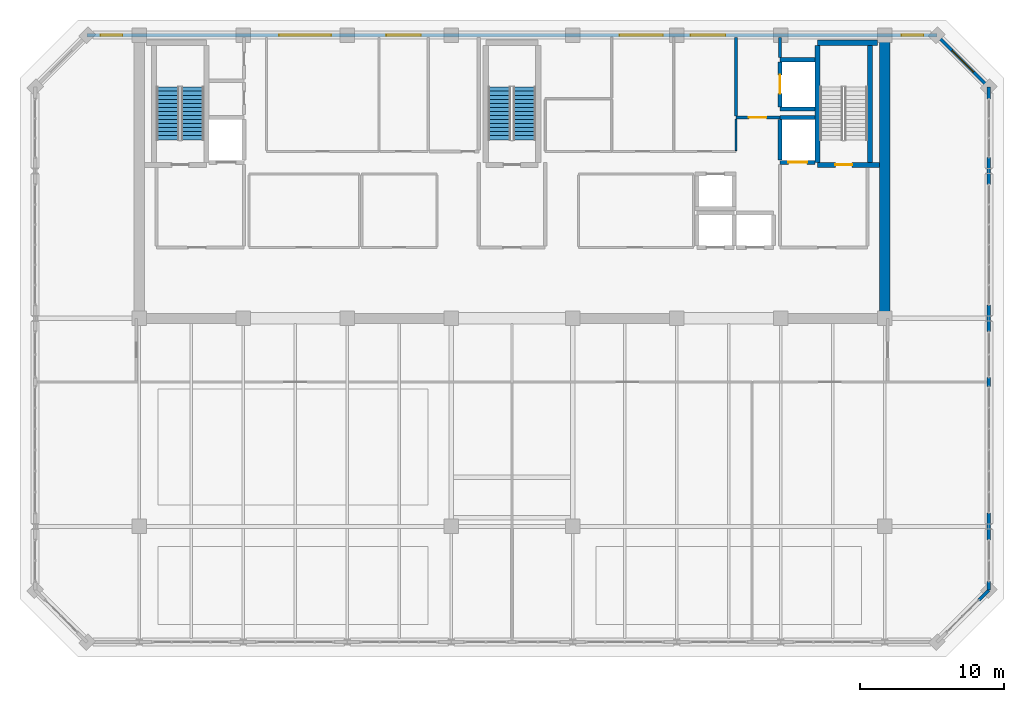
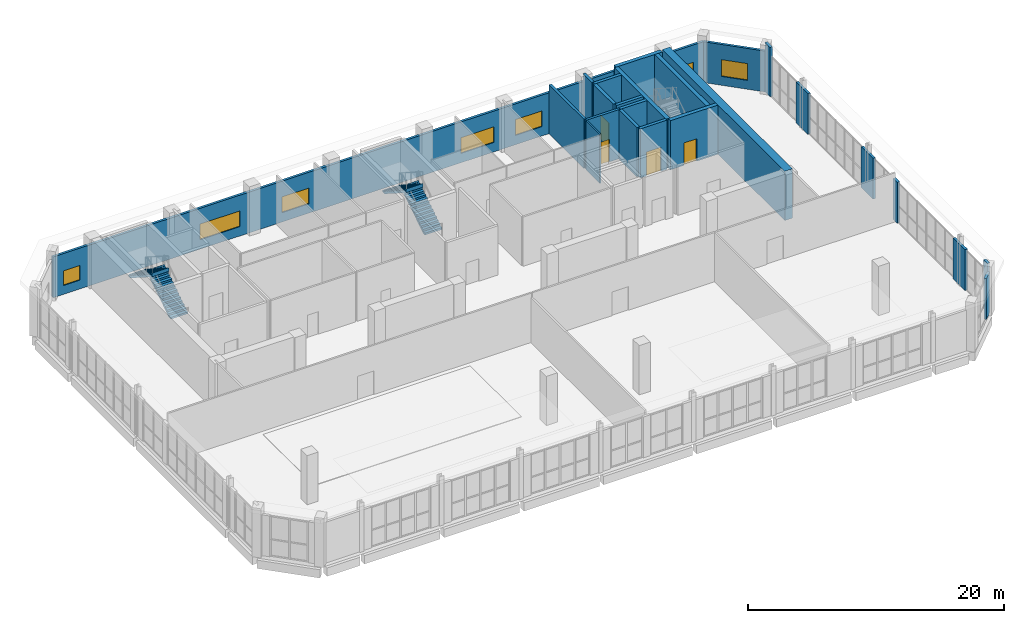
# One storey, part 32 of 36: 24 walls, 7 windows, 4 doors, 4 stair flights, 11 openings, 2 elements without a shape of their own.
"""IFC4 building model written with IfcOpenShell, lengths in metres."""

from ifc_helpers import new_model, si_unit, direction, frame, frame_2d, origin, place, context, subcontext, project, spatial, polyline, rectangle, outline, extrude, material, layer, layer_set, type_object, element, fill, aggregate, save


model = new_model("IFC4")

# Units and contexts
model_context = context("Model", 3, precision=1e-05, world=origin(), true_north=direction((0.0, 1.0)))
body_context = subcontext(model_context, "Body", "Model", "MODEL_VIEW")
ifc_project = project(units=[si_unit("LENGTHUNIT", "METRE"), si_unit("AREAUNIT", "SQUARE_METRE"), si_unit("VOLUMEUNIT", "CUBIC_METRE"), si_unit("PLANEANGLEUNIT", "RADIAN"), si_unit("MASSUNIT", "GRAM", prefix="KILO")], contexts=[model_context])

# Site, building, storey
site_placement = place(None, origin())
site = spatial("IfcSite", under=ifc_project, at=site_placement, CompositionType="ELEMENT")
building_placement = place(site_placement, origin())
building = spatial("IfcBuilding", under=site, at=building_placement, Name="Kaelvorn Grand Hotel", CompositionType="ELEMENT")
storey_placement = place(building_placement, frame((0.0, 0.0, 305.699951171875)))
storey = spatial("IfcBuildingStorey", under=building, at=storey_placement, Name="L74", CompositionType="ELEMENT", Elevation=305.699951171875)

# Walls
ifc_material_1 = material(Name="Concrete C50/60", Category="concrete")
ifc_layer_1 = layer(ifc_material_1, 0.699951171875)
ifc_layer_set_1 = layer_set([ifc_layer_1], Name="Concrete C50/60")
wall_type_1 = type_object("IfcWallType", Name="WL-CORE-700-C50", PredefinedType="SHEAR", material=ifc_layer_set_1)
wall_1_placement = place(storey_placement, frame((67.800048828125, 29.39990234375, 0.0), z_axis=(0.0, 0.0, 1.0), x_axis=(0.0, 1.0, 0.0)))
element("IfcWall", 1, at=wall_1_placement, inside=storey, type_object=wall_type_1, Name="L74 Rear-Core East Shear Wall", PredefinedType="SHEAR", context=body_context, shape_type="SweptSolid", body=[
    extrude(rectangle(XDim=19.2001953125, YDim=0.699951171875, at=frame_2d((9.60009765625, 0.0))), origin(), (0.0, 0.0, 1.0), 4.699951171875),
])
ifc_material_2 = material(Name="Concrete C40/50", Category="concrete")
ifc_layer_2 = layer(ifc_material_2, 0.219970703125)
ifc_layer_set_2 = layer_set([ifc_layer_2], Name="Concrete C40/50")
wall_type_2 = type_object("IfcWallType", Name="WL-EXT-220-C40", PredefinedType="SOLIDWALL", material=ifc_layer_set_2)
wall_2_placement = place(storey_placement, frame((74.303466796875, 9.903564453125, 0.0), z_axis=(0.0, 0.0, 1.0), x_axis=(0.707106781187, 0.707106781187, 0.0)))
element("IfcWall", 2, at=wall_2_placement, inside=storey, type_object=wall_type_2, Name="L74 Exterior Architectural Concrete Wall 02 Pier 2", PredefinedType="SOLIDWALL", context=body_context, shape_type="SweptSolid", body=[
    extrude(rectangle(XDim=0.985107421875, YDim=0.219970703125, at=frame_2d((0.49267578125, 0.0))), origin(), (0.0, 0.0, 1.0), 3.900146484375),
])
wall_3_placement = place(storey_placement, frame((75.0, 10.60009765625, 0.0), z_axis=(0.0, 0.0, 1.0), x_axis=(0.0, 1.0, 0.0)))
element("IfcWall", 3, at=wall_3_placement, inside=storey, type_object=wall_type_2, Name="L74 Exterior Architectural Concrete Wall 03 Pier 1", PredefinedType="SOLIDWALL", context=body_context, shape_type="SweptSolid", body=[
    extrude(rectangle(XDim=0.60498046875, YDim=0.219970703125, at=frame_2d((0.302490234375, 0.0))), origin(), (0.0, 0.0, 1.0), 4.699951171875),
])
wall_4_placement = place(storey_placement, frame((75.0, 14.074951171875, 0.0), z_axis=(0.0, 0.0, 1.0), x_axis=(0.0, 1.0, 0.0)))
element("IfcWall", 4, at=wall_4_placement, inside=storey, type_object=wall_type_2, Name="L74 Exterior Architectural Concrete Wall 03 Pier 2", PredefinedType="SOLIDWALL", context=body_context, shape_type="SweptSolid", body=[
    extrude(rectangle(XDim=1.85009765625, YDim=0.219970703125, at=frame_2d((0.925048828125, 0.0))), origin(), (0.0, 0.0, 1.0), 3.900146484375),
])
wall_5_placement = place(storey_placement, frame((75.0, 24.675048828125, 0.0), z_axis=(0.0, 0.0, 1.0), x_axis=(0.0, 1.0, 0.0)))
element("IfcWall", 5, at=wall_5_placement, inside=storey, type_object=wall_type_2, Name="L74 Exterior Architectural Concrete Wall 03 Pier 3", PredefinedType="SOLIDWALL", context=body_context, shape_type="SweptSolid", body=[
    extrude(rectangle(XDim=0.64990234375, YDim=0.219970703125, at=frame_2d((0.324951171875, 0.0))), origin(), (0.0, 0.0, 1.0), 3.900146484375),
])
for number, where, z_axis, x_axis, name in (
    (6, (75.0, 28.47509765625, 0.0), (0.0, 0.0, 1.0), (0.0, 1.0, 0.0), "L74 Exterior Architectural Concrete Wall 03 Pier 4"),
    (7, (75.0, 38.675048828125, 0.0), (0.0, 0.0, 1.0), (0.0, 1.0, 0.0), "L74 Exterior Architectural Concrete Wall 03 Pier 5"),
):
    element("IfcWall", number, at=place(storey_placement, frame(where, z_axis=z_axis, x_axis=x_axis)), inside=storey, type_object=wall_type_2, Name=name, PredefinedType="SOLIDWALL", context=body_context, shape_type="SweptSolid", body=[
        extrude(rectangle(XDim=1.849853515625, YDim=0.219970703125, at=frame_2d((0.9248046875, 0.0))), origin(), (0.0, 0.0, 1.0), 3.900146484375),
    ])
wall_6_placement = place(storey_placement, frame((75.0, 44.594970703125, 0.0), z_axis=(0.0, 0.0, 1.0), x_axis=(0.0, 1.0, 0.0)))
element("IfcWall", 8, at=wall_6_placement, inside=storey, type_object=wall_type_2, Name="L74 Exterior Architectural Concrete Wall 03 Pier 6", PredefinedType="SOLIDWALL", context=body_context, shape_type="SweptSolid", body=[
    extrude(rectangle(XDim=0.804931640625, YDim=0.219970703125, at=frame_2d((0.40234375, 0.0))), origin(), (0.0, 0.0, 1.0), 4.699951171875),
])

# Wall, opening, window
wall_7_placement = place(storey_placement, frame((75.0, 45.39990234375, 0.0), z_axis=(0.0, 0.0, 1.0), x_axis=(-0.707106781187, 0.707106781187, 0.0)))
wall_7 = element("IfcWall", 9, at=wall_7_placement, inside=storey, type_object=wall_type_2, Name="L74 Exterior Architectural Concrete Wall 04", PredefinedType="SOLIDWALL", context=body_context, shape_type="SweptSolid", body=[
    extrude(rectangle(XDim=5.09130859375, YDim=0.219970703125, at=frame_2d((2.545654296875, 0.0))), origin(), (0.0, 0.0, 1.0), 3.900146484375),
])
opening_1_placement = place(wall_7_placement, frame((1.49560546875, 0.0, 0.85009765625)))
opening_1 = element("IfcOpeningElement", 10, at=opening_1_placement, cuts=wall_7, Name="Opening W7", PredefinedType="OPENING", context=body_context, shape_type="SweptSolid", body=[
    extrude(rectangle(XDim=2.10009765625, YDim=1.60009765625, at=frame_2d((1.050048828125, 0.800048828125))), frame((0.0, 0.1201171875, 0.0), z_axis=(0.0, -1.0, 0.0), x_axis=(1.0, 0.0, 0.0)), (0.0, 0.0, 1.0), 0.239990234375),
])
ifc_material_3 = material(Name="Laminated Low-E Glass", Category="glass")
window_type_1 = type_object("IfcWindowType", Name="WIN-CHM-2100x1600", PartitioningType="SINGLE_PANEL", PredefinedType="WINDOW", material=ifc_material_3)
window_1_placement = place(opening_1_placement, origin())
window_1 = element("IfcWindow", 11, at=window_1_placement, inside=storey, type_object=window_type_1, Name="L74 Chamfered 45-Degree Corner Window NE", OverallHeight=1.60009765625, OverallWidth=2.10009765625, PartitioningType="SINGLE_PANEL", PredefinedType="WINDOW", context=body_context, shape_type="SweptSolid", body=[
    extrude(rectangle(XDim=2.10009765625, YDim=1.60009765625, at=frame_2d((1.050048828125, 0.800048828125))), frame((0.0, 0.030029296875, 0.0), z_axis=(0.0, -1.0, 0.0), x_axis=(1.0, 0.0, 0.0)), (0.0, 0.0, 1.0), 0.06005859375),
])
fill(opening_1, window_1)

# Wall, openings, windows
wall_8_placement = place(storey_placement, frame((71.39990234375, 49.0, 0.0), z_axis=(0.0, 0.0, 1.0), x_axis=(-1.0, 0.0, 0.0)))
wall_8 = element("IfcWall", 12, at=wall_8_placement, inside=storey, type_object=wall_type_2, Name="L74 Exterior Architectural Concrete Wall 05", PredefinedType="SOLIDWALL", context=body_context, shape_type="SweptSolid", body=[
    extrude(rectangle(XDim=58.7998046875, YDim=0.219970703125, at=frame_2d((29.39990234375, 0.0))), origin(), (0.0, 0.0, 1.0), 3.900146484375),
])
opening_2_placement = place(wall_8_placement, frame((56.364990234375, 0.0, 0.85009765625)))
opening_2 = element("IfcOpeningElement", 13, at=opening_2_placement, cuts=wall_8, Name="Opening W10", PredefinedType="OPENING", context=body_context, shape_type="SweptSolid", body=[
    extrude(rectangle(XDim=1.5, YDim=1.39990234375, at=frame_2d((0.75, 0.699951171875))), frame((0.0, 0.1201171875, 0.0), z_axis=(0.0, -1.0, 0.0), x_axis=(1.0, 0.0, 0.0)), (0.0, 0.0, 1.0), 0.239990234375),
])
opening_3_placement = place(wall_8_placement, frame((0.93505859375, 0.0, 0.85009765625)))
opening_3 = element("IfcOpeningElement", 14, at=opening_3_placement, cuts=wall_8, Name="Opening W10", PredefinedType="OPENING", context=body_context, shape_type="SweptSolid", body=[
    extrude(rectangle(XDim=1.5, YDim=1.39990234375, at=frame_2d((0.75, 0.699951171875))), frame((0.0, 0.1201171875, 0.0), z_axis=(0.0, -1.0, 0.0), x_axis=(1.0, 0.0, 0.0)), (0.0, 0.0, 1.0), 0.239990234375),
])
opening_4_placement = place(wall_8_placement, frame((41.9150390625, 0.0, 0.89990234375)))
opening_4 = element("IfcOpeningElement", 15, at=opening_4_placement, cuts=wall_8, Name="Opening W3", PredefinedType="OPENING", context=body_context, shape_type="SweptSolid", body=[
    extrude(rectangle(XDim=3.60009765625, YDim=1.5, at=frame_2d((1.800048828125, 0.75))), frame((0.0, 0.1201171875, 0.0), z_axis=(0.0, -1.0, 0.0), x_axis=(1.0, 0.0, 0.0)), (0.0, 0.0, 1.0), 0.239990234375),
])
opening_5_placement = place(wall_8_placement, frame((35.699951171875, 0.0, 0.89990234375)))
opening_5 = element("IfcOpeningElement", 16, at=opening_5_placement, cuts=wall_8, Name="Opening W6", PredefinedType="OPENING", context=body_context, shape_type="SweptSolid", body=[
    extrude(rectangle(XDim=2.39990234375, YDim=1.5, at=frame_2d((1.199951171875, 0.75))), frame((0.0, 0.1201171875, 0.0), z_axis=(0.0, -1.0, 0.0), x_axis=(1.0, 0.0, 0.0)), (0.0, 0.0, 1.0), 0.239990234375),
])
opening_6_placement = place(wall_8_placement, frame((18.949951171875, 0.0, 0.89990234375)))
opening_6 = element("IfcOpeningElement", 17, at=opening_6_placement, cuts=wall_8, Name="Opening W5", PredefinedType="OPENING", context=body_context, shape_type="SweptSolid", body=[
    extrude(rectangle(XDim=3.0, YDim=1.5, at=frame_2d((1.5, 0.75))), frame((0.0, 0.1201171875, 0.0), z_axis=(0.0, -1.0, 0.0), x_axis=(1.0, 0.0, 0.0)), (0.0, 0.0, 1.0), 0.239990234375),
])
opening_7_placement = place(wall_8_placement, frame((14.635009765625, 0.0, 0.89990234375)))
opening_7 = element("IfcOpeningElement", 18, at=opening_7_placement, cuts=wall_8, Name="Opening W6", PredefinedType="OPENING", context=body_context, shape_type="SweptSolid", body=[
    extrude(rectangle(XDim=2.39990234375, YDim=1.5, at=frame_2d((1.199951171875, 0.75))), frame((0.0, 0.1201171875, 0.0), z_axis=(0.0, -1.0, 0.0), x_axis=(1.0, 0.0, 0.0)), (0.0, 0.0, 1.0), 0.239990234375),
])
window_type_2 = type_object("IfcWindowType", Name="WIN-COR-1500x1400", PartitioningType="SINGLE_PANEL", PredefinedType="WINDOW", material=ifc_material_3)
window_2_placement = place(opening_2_placement, origin())
window_2 = element("IfcWindow", 19, at=window_2_placement, inside=storey, type_object=window_type_2, Name="L74 North Wing Ribbon Window NW01", OverallHeight=1.39990234375, OverallWidth=1.5, PartitioningType="SINGLE_PANEL", PredefinedType="WINDOW", context=body_context, shape_type="SweptSolid", body=[
    extrude(rectangle(XDim=1.5, YDim=1.39990234375, at=frame_2d((0.75, 0.699951171875))), frame((0.0, 0.030029296875, 0.0), z_axis=(0.0, -1.0, 0.0), x_axis=(1.0, 0.0, 0.0)), (0.0, 0.0, 1.0), 0.06005859375),
])
fill(opening_2, window_2)
window_3_placement = place(opening_3_placement, origin())
window_3 = element("IfcWindow", 20, at=window_3_placement, inside=storey, type_object=window_type_2, Name="L74 North Wing Ribbon Window NW02", OverallHeight=1.39990234375, OverallWidth=1.5, PartitioningType="SINGLE_PANEL", PredefinedType="WINDOW", context=body_context, shape_type="SweptSolid", body=[
    extrude(rectangle(XDim=1.5, YDim=1.39990234375, at=frame_2d((0.75, 0.699951171875))), frame((0.0, 0.030029296875, 0.0), z_axis=(0.0, -1.0, 0.0), x_axis=(1.0, 0.0, 0.0)), (0.0, 0.0, 1.0), 0.06005859375),
])
fill(opening_3, window_3)
window_type_3 = type_object("IfcWindowType", Name="WIN-NTH-2400x1500", PartitioningType="SINGLE_PANEL", PredefinedType="WINDOW", material=ifc_material_3)
window_4_placement = place(opening_5_placement, origin())
window_4 = element("IfcWindow", 21, at=window_4_placement, inside=storey, type_object=window_type_3, Name="L74 North Core Clerestory Ribbon Window NC04", OverallHeight=1.5, OverallWidth=2.39990234375, PartitioningType="SINGLE_PANEL", PredefinedType="WINDOW", context=body_context, shape_type="SweptSolid", body=[
    extrude(rectangle(XDim=2.39990234375, YDim=1.5, at=frame_2d((1.199951171875, 0.75))), frame((0.0, 0.030029296875, 0.0), z_axis=(0.0, -1.0, 0.0), x_axis=(1.0, 0.0, 0.0)), (0.0, 0.0, 1.0), 0.06005859375),
])
fill(opening_5, window_4)
window_5_placement = place(opening_7_placement, origin())
window_5 = element("IfcWindow", 22, at=window_5_placement, inside=storey, type_object=window_type_3, Name="L74 North Core Clerestory Ribbon Window NC06", OverallHeight=1.5, OverallWidth=2.39990234375, PartitioningType="SINGLE_PANEL", PredefinedType="WINDOW", context=body_context, shape_type="SweptSolid", body=[
    extrude(rectangle(XDim=2.39990234375, YDim=1.5, at=frame_2d((1.199951171875, 0.75))), frame((0.0, 0.030029296875, 0.0), z_axis=(0.0, -1.0, 0.0), x_axis=(1.0, 0.0, 0.0)), (0.0, 0.0, 1.0), 0.06005859375),
])
fill(opening_7, window_5)
window_type_4 = type_object("IfcWindowType", Name="WIN-NTH-3000x1500", PartitioningType="SINGLE_PANEL", PredefinedType="WINDOW", material=ifc_material_3)
window_6_placement = place(opening_6_placement, origin())
window_6 = element("IfcWindow", 23, at=window_6_placement, inside=storey, type_object=window_type_4, Name="L74 North Core Clerestory Ribbon Window NC05", OverallHeight=1.5, OverallWidth=3.0, PartitioningType="SINGLE_PANEL", PredefinedType="WINDOW", context=body_context, shape_type="SweptSolid", body=[
    extrude(rectangle(XDim=3.0, YDim=1.5, at=frame_2d((1.5, 0.75))), frame((0.0, 0.030029296875, 0.0), z_axis=(0.0, -1.0, 0.0), x_axis=(1.0, 0.0, 0.0)), (0.0, 0.0, 1.0), 0.06005859375),
])
fill(opening_6, window_6)
window_type_5 = type_object("IfcWindowType", Name="WIN-RIB-3600x1750", PartitioningType="SINGLE_PANEL", PredefinedType="WINDOW", material=ifc_material_3)
window_7_placement = place(opening_4_placement, origin())
window_7 = element("IfcWindow", 24, at=window_7_placement, inside=storey, type_object=window_type_5, Name="L74 North Core Clerestory Ribbon Window NC03", OverallHeight=1.5, OverallWidth=3.60009765625, PartitioningType="SINGLE_PANEL", PredefinedType="WINDOW", context=body_context, shape_type="SweptSolid", body=[
    extrude(rectangle(XDim=3.60009765625, YDim=1.5, at=frame_2d((1.800048828125, 0.75))), frame((0.0, 0.030029296875, 0.0), z_axis=(0.0, -1.0, 0.0), x_axis=(1.0, 0.0, 0.0)), (0.0, 0.0, 1.0), 0.06005859375),
])
fill(opening_4, window_7)

# Wall
ifc_material_4 = material(Name="Moisture-Resistant Tile & Stud Board")
ifc_layer_3 = layer(ifc_material_4, 0.125)
ifc_layer_set_3 = layer_set([ifc_layer_3], Name="Moisture-Resistant Tile & Stud Board")
wall_type_3 = type_object("IfcWallType", Name="WL-PART-125-WET", PredefinedType="PARTITIONING", material=ifc_layer_set_3)
wall_9_placement = place(storey_placement, frame((57.5, 41.017578125, 0.0), z_axis=(0.0, 0.0, 1.0), x_axis=(0.0, 1.0, 0.0)))
element("IfcWall", 25, at=wall_9_placement, inside=storey, type_object=wall_type_3, Name="L74 Female Public Toilets E Partition", PredefinedType="PARTITIONING", context=body_context, shape_type="SweptSolid", body=[
    extrude(rectangle(XDim=2.16748046875, YDim=0.125, at=frame_2d((1.083740234375, 0.0))), origin(), (0.0, 0.0, 1.0), 4.699951171875),
])

# Wall, opening, door
ifc_layer_4 = layer(ifc_material_2, 0.219970703125)
ifc_layer_set_4 = layer_set([ifc_layer_4], Name="Concrete C40/50")
wall_type_4 = type_object("IfcWallType", Name="WL-PART-220-EI120", PredefinedType="PARTITIONING", material=ifc_layer_set_4)
wall_10_placement = place(storey_placement, frame((57.5, 43.300048828125, 0.0), z_axis=(0.0, 0.0, 1.0), x_axis=(1.0, 0.0, 0.0)))
wall_10 = element("IfcWall", 26, at=wall_10_placement, inside=storey, type_object=wall_type_4, Name="L74 Service Lift Lobby S Partition", PredefinedType="PARTITIONING", context=body_context, shape_type="SweptSolid", body=[
    extrude(rectangle(XDim=3.0400390625, YDim=0.219970703125, at=frame_2d((1.52001953125, 0.0))), origin(), (0.0, 0.0, 1.0), 4.699951171875),
])
opening_8_placement = place(wall_10_placement, frame((0.89990234375, 0.0, 0.0)))
opening_8 = element("IfcOpeningElement", 27, at=opening_8_placement, cuts=wall_10, Name="Opening DI2", PredefinedType="OPENING", context=body_context, shape_type="SweptSolid", body=[
    extrude(rectangle(XDim=1.199951171875, YDim=2.14990234375, at=frame_2d((0.60009765625, 1.074951171875))), frame((0.0, 0.1201171875, 0.0), z_axis=(0.0, -1.0, 0.0), x_axis=(1.0, 0.0, 0.0)), (0.0, 0.0, 1.0), 0.239990234375),
])
ifc_material_5 = material(Name="Timber Veneer Fire Leaf", Category="wood")
door_type_1 = type_object("IfcDoorType", Name="DR-INT-FFLOB-1200x2150", OperationType="NOTDEFINED", PredefinedType="DOOR", material=ifc_material_5)
door_1_placement = place(opening_8_placement, origin())
door_1 = element("IfcDoor", 28, at=door_1_placement, inside=storey, type_object=door_type_1, Name="L74 Service Lift Lobby Door", OperationType="SINGLE_SWING_RIGHT", OverallHeight=2.14990234375, OverallWidth=1.199951171875, PredefinedType="DOOR", context=body_context, shape_type="SweptSolid", body=[
    extrude(rectangle(XDim=1.199951171875, YDim=2.14990234375, at=frame_2d((0.60009765625, 1.074951171875))), frame((0.0, 0.02490234375, 0.0), z_axis=(0.0, -1.0, 0.0), x_axis=(1.0, 0.0, 0.0)), (0.0, 0.0, 1.0), 0.050048828125),
])
fill(opening_8, door_1)

# Walls
wall_11_placement = place(storey_placement, frame((57.5, 43.4150390625, 0.0), z_axis=(0.0, 0.0, 1.0), x_axis=(0.0, 1.0, 0.0)))
element("IfcWall", 29, at=wall_11_placement, inside=storey, type_object=wall_type_4, Name="L74 Service Lift Lobby W Partition", PredefinedType="PARTITIONING", context=body_context, shape_type="SweptSolid", body=[
    extrude(rectangle(XDim=5.43505859375, YDim=0.219970703125, at=frame_2d((2.717529296875, 0.0))), origin(), (0.0, 0.0, 1.0), 4.699951171875),
])
wall_12_placement = place(storey_placement, frame((60.550048828125, 47.445068359375, 0.0), z_axis=(0.0, 0.0, 1.0), x_axis=(0.0, 1.0, 0.0)))
element("IfcWall", 30, at=wall_12_placement, inside=storey, type_object=wall_type_4, Name="L74 Service Lift Lobby E Partition", PredefinedType="PARTITIONING", context=body_context, shape_type="SweptSolid", body=[
    extrude(rectangle(XDim=1.405029296875, YDim=0.219970703125, at=frame_2d((0.70263671875, 0.0))), origin(), (0.0, 0.0, 1.0), 4.699951171875),
])

# Wall, opening, door
ifc_layer_5 = layer(ifc_material_1, 0.280029296875)
ifc_layer_set_5 = layer_set([ifc_layer_5], Name="Concrete C50/60")
wall_type_5 = type_object("IfcWallType", Name="WL-SHAFT-280-C50", PredefinedType="SHEAR", material=ifc_layer_set_5)
wall_13_placement = place(storey_placement, frame((60.550048828125, 40.199951171875, 0.0), z_axis=(0.0, 0.0, 1.0), x_axis=(1.0, 0.0, 0.0)))
wall_13 = element("IfcWall", 31, at=wall_13_placement, inside=storey, type_object=wall_type_5, Name="L74 Lift FFL2 Shaft South Wall", PredefinedType="SHEAR", context=body_context, shape_type="SweptSolid", body=[
    extrude(rectangle(XDim=2.4150390625, YDim=0.280029296875, at=frame_2d((1.20751953125, 0.0))), origin(), (0.0, 0.0, 1.0), 4.699951171875),
])
opening_9_placement = place(wall_13_placement, frame((0.574951171875, 0.0, 0.0)))
opening_9 = element("IfcOpeningElement", 32, at=opening_9_placement, cuts=wall_13, Name="Opening LD-FFL2", PredefinedType="OPENING", context=body_context, shape_type="SweptSolid", body=[
    extrude(rectangle(XDim=1.300048828125, YDim=2.300048828125, at=frame_2d((0.64990234375, 1.14990234375))), frame((0.0, 0.14990234375, 0.0), z_axis=(0.0, -1.0, 0.0), x_axis=(1.0, 0.0, 0.0)), (0.0, 0.0, 1.0), 0.300048828125),
])
ifc_material_6 = material(Name="Stainless Steel", Category="steel")
door_type_2 = type_object("IfcDoorType", Name="DR-LIFT-SERV-1300x2300", OperationType="DOUBLE_DOOR_SLIDING", PredefinedType="DOOR", material=ifc_material_6)
door_2_placement = place(opening_9_placement, origin())
door_2 = element("IfcDoor", 33, at=door_2_placement, inside=storey, type_object=door_type_2, Name="L74 Lift FFL2 Sliding Landing Door LD-FFL2", OperationType="DOUBLE_DOOR_SLIDING", OverallHeight=2.300048828125, OverallWidth=1.300048828125, PredefinedType="DOOR", context=body_context, shape_type="SweptSolid", body=[
    extrude(rectangle(XDim=1.300048828125, YDim=2.300048828125, at=frame_2d((0.64990234375, 1.14990234375))), frame((0.0, 0.02490234375, 0.0), z_axis=(0.0, -1.0, 0.0), x_axis=(1.0, 0.0, 0.0)), (0.0, 0.0, 1.0), 0.050048828125),
])
fill(opening_9, door_2)

# Walls
wall_14_placement = place(storey_placement, frame((60.550048828125, 43.300048828125, 0.0), z_axis=(0.0, 0.0, 1.0), x_axis=(1.0, 0.0, 0.0)))
element("IfcWall", 34, at=wall_14_placement, inside=storey, type_object=wall_type_5, Name="L74 Lift FFL2 Shaft North Wall", PredefinedType="SHEAR", context=body_context, shape_type="SweptSolid", body=[
    extrude(rectangle(XDim=2.4150390625, YDim=0.280029296875, at=frame_2d((1.20751953125, 0.0))), origin(), (0.0, 0.0, 1.0), 4.699951171875),
])
wall_15_placement = place(storey_placement, frame((60.550048828125, 40.344970703125, 0.0), z_axis=(0.0, 0.0, 1.0), x_axis=(0.0, 1.0, 0.0)))
element("IfcWall", 35, at=wall_15_placement, inside=storey, type_object=wall_type_5, Name="L74 Lift FFL2 Shaft West Wall", PredefinedType="SHEAR", context=body_context, shape_type="SweptSolid", body=[
    extrude(rectangle(XDim=2.81005859375, YDim=0.280029296875, at=frame_2d((1.405029296875, 0.0))), origin(), (0.0, 0.0, 1.0), 4.699951171875),
])
for number, where, z_axis, x_axis, name in (
    (36, (60.550048828125, 43.89990234375, 0.0), (0.0, 0.0, 1.0), (1.0, 0.0, 0.0), "L74 Lift SV1 Shaft South Wall"),
    (37, (60.550048828125, 47.300048828125, 0.0), (0.0, 0.0, 1.0), (1.0, 0.0, 0.0), "L74 Lift SV1 Shaft North Wall"),
):
    element("IfcWall", number, at=place(storey_placement, frame(where, z_axis=z_axis, x_axis=x_axis)), inside=storey, type_object=wall_type_5, Name=name, PredefinedType="SHEAR", context=body_context, shape_type="SweptSolid", body=[
        extrude(rectangle(XDim=2.4150390625, YDim=0.280029296875, at=frame_2d((1.20751953125, 0.0))), origin(), (0.0, 0.0, 1.0), 4.699951171875),
    ])

# Wall, opening, door
wall_16_placement = place(storey_placement, frame((60.550048828125, 44.044921875, 0.0), z_axis=(0.0, 0.0, 1.0), x_axis=(0.0, 1.0, 0.0)))
wall_16 = element("IfcWall", 38, at=wall_16_placement, inside=storey, type_object=wall_type_5, Name="L74 Lift SV1 Shaft West Wall", PredefinedType="SHEAR", context=body_context, shape_type="SweptSolid", body=[
    extrude(rectangle(XDim=3.110107421875, YDim=0.280029296875, at=frame_2d((1.55517578125, 0.0))), origin(), (0.0, 0.0, 1.0), 4.699951171875),
])
opening_10_placement = place(wall_16_placement, frame((0.905029296875, 0.0, 0.0)))
opening_10 = element("IfcOpeningElement", 39, at=opening_10_placement, cuts=wall_16, Name="Opening LD-SV1", PredefinedType="OPENING", context=body_context, shape_type="SweptSolid", body=[
    extrude(rectangle(XDim=1.300048828125, YDim=2.300048828125, at=frame_2d((0.64990234375, 1.14990234375))), frame((0.0, 0.14990234375, 0.0), z_axis=(0.0, -1.0, 0.0), x_axis=(1.0, 0.0, 0.0)), (0.0, 0.0, 1.0), 0.300048828125),
])
door_3_placement = place(opening_10_placement, origin())
door_3 = element("IfcDoor", 40, at=door_3_placement, inside=storey, type_object=door_type_2, Name="L74 Lift SV1 Sliding Landing Door LD-SV1", OperationType="DOUBLE_DOOR_SLIDING", OverallHeight=2.300048828125, OverallWidth=1.300048828125, PredefinedType="DOOR", context=body_context, shape_type="SweptSolid", body=[
    extrude(rectangle(XDim=1.300048828125, YDim=2.300048828125, at=frame_2d((0.64990234375, 1.14990234375))), frame((0.0, 0.02490234375, 0.0), z_axis=(0.0, -1.0, 0.0), x_axis=(1.0, 0.0, 0.0)), (0.0, 0.0, 1.0), 0.050048828125),
])
fill(opening_10, door_3)

ifc_material_7 = material(Name="Concrete C60/75", Category="concrete")
ifc_layer_6 = layer(ifc_material_7, 0.35009765625)
ifc_layer_set_6 = layer_set([ifc_layer_6], Name="Concrete C60/75")
wall_type_6 = type_object("IfcWallType", Name="WL-SHAFT-350-C60", PredefinedType="SHEAR", material=ifc_layer_set_6)
wall_17_placement = place(storey_placement, frame((63.14501953125, 40.02490234375, 0.0), z_axis=(0.0, 0.0, 1.0), x_axis=(1.0, 0.0, 0.0)))
wall_17 = element("IfcWall", 41, at=wall_17_placement, inside=storey, type_object=wall_type_6, Name="L74 ST3 Stair Shaft South Wall", PredefinedType="SHEAR", context=body_context, shape_type="SweptSolid", body=[
    extrude(rectangle(XDim=4.300048828125, YDim=0.35009765625, at=frame_2d((2.14990234375, 0.0))), origin(), (0.0, 0.0, 1.0), 4.699951171875),
])
opening_11_placement = place(wall_17_placement, frame((1.239990234375, 0.0, 0.0)))
opening_11 = element("IfcOpeningElement", 42, at=opening_11_placement, cuts=wall_17, Name="Opening DI1", PredefinedType="OPENING", context=body_context, shape_type="SweptSolid", body=[
    extrude(rectangle(XDim=1.14990234375, YDim=2.14990234375, at=frame_2d((0.574951171875, 1.074951171875))), frame((0.0, 0.18505859375, 0.0), z_axis=(0.0, -1.0, 0.0), x_axis=(1.0, 0.0, 0.0)), (0.0, 0.0, 1.0), 0.3701171875),
])
door_type_3 = type_object("IfcDoorType", Name="DR-INT-STAIR-1150x2150", OperationType="NOTDEFINED", PredefinedType="DOOR", material=ifc_material_5)
door_4_placement = place(opening_11_placement, origin())
door_4 = element("IfcDoor", 43, at=door_4_placement, inside=storey, type_object=door_type_3, Name="L74 ST3 Exit Stair Fire Door", OperationType="SINGLE_SWING_RIGHT", OverallHeight=2.14990234375, OverallWidth=1.14990234375, PredefinedType="DOOR", context=body_context, shape_type="SweptSolid", body=[
    extrude(rectangle(XDim=1.14990234375, YDim=2.14990234375, at=frame_2d((0.574951171875, 1.074951171875))), frame((0.0, 0.02490234375, 0.0), z_axis=(0.0, -1.0, 0.0), x_axis=(1.0, 0.0, 0.0)), (0.0, 0.0, 1.0), 0.050048828125),
])
fill(opening_11, door_4)

# Walls
wall_18_placement = place(storey_placement, frame((63.14501953125, 48.47509765625, 0.0), z_axis=(0.0, 0.0, 1.0), x_axis=(1.0, 0.0, 0.0)))
element("IfcWall", 44, at=wall_18_placement, inside=storey, type_object=wall_type_6, Name="L74 ST3 Stair Shaft North Wall", PredefinedType="SHEAR", context=body_context, shape_type="SweptSolid", body=[
    extrude(rectangle(XDim=4.14990234375, YDim=0.35009765625, at=frame_2d((2.074951171875, 0.0))), origin(), (0.0, 0.0, 1.0), 4.699951171875),
])
for number, where, z_axis, x_axis, name in (
    (45, (63.14501953125, 40.205078125, 0.0), (0.0, 0.0, 1.0), (0.0, 1.0, 0.0), "L74 ST3 Stair Shaft West Wall"),
    (46, (66.77490234375, 40.205078125, 0.0), (0.0, 0.0, 1.0), (0.0, 1.0, 0.0), "L74 ST3 Stair Shaft East Wall"),
):
    element("IfcWall", number, at=place(storey_placement, frame(where, z_axis=z_axis, x_axis=x_axis)), inside=storey, type_object=wall_type_6, Name=name, PredefinedType="SHEAR", context=body_context, shape_type="SweptSolid", body=[
        extrude(rectangle(XDim=8.08984375, YDim=0.35009765625, at=frame_2d((4.044921875, 0.0))), origin(), (0.0, 0.0, 1.0), 4.699951171875),
    ])

# Stair, stair flights
stair_type = type_object("IfcStairType", Name="STR-DOG-1560-R12", PredefinedType="HALF_TURN_STAIR", material=ifc_material_2)
stair_1_placement = place(storey_placement, origin())
stair_1 = element("IfcStair", 47, at=stair_1_placement, inside=storey, type_object=stair_type, Name="L74 West Core Exit Stair ST1", PredefinedType="HALF_TURN_STAIR")
stair_flight_type = type_object("IfcStairFlightType", Name="FLG-DOG-1560-R12", PredefinedType="STRAIGHT", material=ifc_material_2)
stair_flight_1_placement = place(storey_placement, frame((19.89990234375, 41.760009765625, 0.0), z_axis=(0.0, 0.0, 1.0), x_axis=(0.0, 1.0, 0.0)))
stair_flight_1 = element("IfcStairFlight", 48, at=stair_flight_1_placement, type_object=stair_flight_type, Name="ST1 flight 1", NumberOfRisers=14, NumberOfTreads=13, PredefinedType="STRAIGHT", RiserHeight=0.178571429, TreadLength=0.28, context=body_context, shape_type="SweptSolid", body=[
    extrude(outline(polyline([(-0.0048828125, 0.0), (-0.0048828125, 0.0400390625), (0.0, 0.178466796875), (0.280029296875, 0.178466796875), (0.280029296875, 0.357177734375), (0.56005859375, 0.357177734375), (0.56005859375, 0.53564453125), (0.840087890625, 0.53564453125), (0.840087890625, 0.71435546875), (1.1201171875, 0.71435546875), (1.1201171875, 0.892822265625), (1.39990234375, 0.892822265625), (1.39990234375, 1.071533203125), (1.679931640625, 1.071533203125), (1.679931640625, 1.25), (1.9599609375, 1.25), (1.9599609375, 1.428466796875), (2.239990234375, 1.428466796875), (2.239990234375, 1.607177734375), (2.52001953125, 1.607177734375), (2.52001953125, 1.78564453125), (2.800048828125, 1.78564453125), (2.800048828125, 1.96435546875), (3.080078125, 1.96435546875), (3.080078125, 2.142822265625), (3.360107421875, 2.142822265625), (3.360107421875, 2.321533203125), (3.639892578125, 2.321533203125), (3.639892578125, 2.5), (3.64501953125, 2.5), (3.64501953125, 2.1435546875), (0.27880859375, 0.0), (-0.0048828125, 0.0)])), frame((0.0, 0.780029296875, 0.0), z_axis=(0.0, -1.0, 0.0), x_axis=(1.0, 0.0, 0.0)), (0.0, 0.0, 1.0), 1.56005859375),
])
stair_flight_2_placement = place(storey_placement, frame((18.179931640625, 45.39990234375, 2.5), z_axis=(0.0, 0.0, 1.0), x_axis=(0.0, -1.0, 0.0)))
stair_flight_2 = element("IfcStairFlight", 49, at=stair_flight_2_placement, type_object=stair_flight_type, Name="ST1 flight 2", NumberOfRisers=14, NumberOfTreads=13, PredefinedType="STRAIGHT", RiserHeight=0.178571429, TreadLength=0.28, context=body_context, shape_type="SweptSolid", body=[
    extrude(outline(polyline([(-0.0048828125, 0.0), (-0.0048828125, 0.0400390625), (0.0, 0.178466796875), (0.280029296875, 0.178466796875), (0.280029296875, 0.357177734375), (0.56005859375, 0.357177734375), (0.56005859375, 0.53564453125), (0.840087890625, 0.53564453125), (0.840087890625, 0.71435546875), (1.1201171875, 0.71435546875), (1.1201171875, 0.892822265625), (1.39990234375, 0.892822265625), (1.39990234375, 1.071533203125), (1.679931640625, 1.071533203125), (1.679931640625, 1.25), (1.9599609375, 1.25), (1.9599609375, 1.428466796875), (2.239990234375, 1.428466796875), (2.239990234375, 1.607177734375), (2.52001953125, 1.607177734375), (2.52001953125, 1.78564453125), (2.800048828125, 1.78564453125), (2.800048828125, 1.96435546875), (3.080078125, 1.96435546875), (3.080078125, 2.142822265625), (3.360107421875, 2.142822265625), (3.360107421875, 2.321533203125), (3.639892578125, 2.321533203125), (3.639892578125, 2.5), (3.64501953125, 2.5), (3.64501953125, 2.1435546875), (0.27880859375, 0.0), (-0.0048828125, 0.0)])), frame((0.0, 0.780029296875, 0.0), z_axis=(0.0, -1.0, 0.0), x_axis=(1.0, 0.0, 0.0)), (0.0, 0.0, 1.0), 1.56005859375),
])
aggregate(stair_1, [stair_flight_1, stair_flight_2])

stair_2_placement = place(storey_placement, origin())
stair_2 = element("IfcStair", 50, at=stair_2_placement, inside=storey, type_object=stair_type, Name="L74 Central Core Exit Stair ST2", PredefinedType="HALF_TURN_STAIR")
stair_flight_3_placement = place(storey_placement, frame((42.860107421875, 41.760009765625, 0.0), z_axis=(0.0, 0.0, 1.0), x_axis=(0.0, 1.0, 0.0)))
stair_flight_3 = element("IfcStairFlight", 51, at=stair_flight_3_placement, type_object=stair_flight_type, Name="ST2 flight 1", NumberOfRisers=14, NumberOfTreads=13, PredefinedType="STRAIGHT", RiserHeight=0.178571429, TreadLength=0.28, context=body_context, shape_type="SweptSolid", body=[
    extrude(outline(polyline([(-0.0048828125, 0.0), (-0.0048828125, 0.0400390625), (0.0, 0.178466796875), (0.280029296875, 0.178466796875), (0.280029296875, 0.357177734375), (0.56005859375, 0.357177734375), (0.56005859375, 0.53564453125), (0.840087890625, 0.53564453125), (0.840087890625, 0.71435546875), (1.1201171875, 0.71435546875), (1.1201171875, 0.892822265625), (1.39990234375, 0.892822265625), (1.39990234375, 1.071533203125), (1.679931640625, 1.071533203125), (1.679931640625, 1.25), (1.9599609375, 1.25), (1.9599609375, 1.428466796875), (2.239990234375, 1.428466796875), (2.239990234375, 1.607177734375), (2.52001953125, 1.607177734375), (2.52001953125, 1.78564453125), (2.800048828125, 1.78564453125), (2.800048828125, 1.96435546875), (3.080078125, 1.96435546875), (3.080078125, 2.142822265625), (3.360107421875, 2.142822265625), (3.360107421875, 2.321533203125), (3.639892578125, 2.321533203125), (3.639892578125, 2.5), (3.64501953125, 2.5), (3.64501953125, 2.1435546875), (0.27880859375, 0.0), (-0.0048828125, 0.0)])), frame((0.0, 0.780029296875, 0.0), z_axis=(0.0, -1.0, 0.0), x_axis=(1.0, 0.0, 0.0)), (0.0, 0.0, 1.0), 1.56005859375),
])
stair_flight_4_placement = place(storey_placement, frame((41.139892578125, 45.39990234375, 2.5), z_axis=(0.0, 0.0, 1.0), x_axis=(0.0, -1.0, 0.0)))
stair_flight_4 = element("IfcStairFlight", 52, at=stair_flight_4_placement, type_object=stair_flight_type, Name="ST2 flight 2", NumberOfRisers=14, NumberOfTreads=13, PredefinedType="STRAIGHT", RiserHeight=0.178571429, TreadLength=0.28, context=body_context, shape_type="SweptSolid", body=[
    extrude(outline(polyline([(-0.0048828125, 0.0), (-0.0048828125, 0.0400390625), (0.0, 0.178466796875), (0.280029296875, 0.178466796875), (0.280029296875, 0.357177734375), (0.56005859375, 0.357177734375), (0.56005859375, 0.53564453125), (0.840087890625, 0.53564453125), (0.840087890625, 0.71435546875), (1.1201171875, 0.71435546875), (1.1201171875, 0.892822265625), (1.39990234375, 0.892822265625), (1.39990234375, 1.071533203125), (1.679931640625, 1.071533203125), (1.679931640625, 1.25), (1.9599609375, 1.25), (1.9599609375, 1.428466796875), (2.239990234375, 1.428466796875), (2.239990234375, 1.607177734375), (2.52001953125, 1.607177734375), (2.52001953125, 1.78564453125), (2.800048828125, 1.78564453125), (2.800048828125, 1.96435546875), (3.080078125, 1.96435546875), (3.080078125, 2.142822265625), (3.360107421875, 2.142822265625), (3.360107421875, 2.321533203125), (3.639892578125, 2.321533203125), (3.639892578125, 2.5), (3.64501953125, 2.5), (3.64501953125, 2.1435546875), (0.27880859375, 0.0), (-0.0048828125, 0.0)])), frame((0.0, 0.780029296875, 0.0), z_axis=(0.0, -1.0, 0.0), x_axis=(1.0, 0.0, 0.0)), (0.0, 0.0, 1.0), 1.56005859375),
])
aggregate(stair_2, [stair_flight_3, stair_flight_4])

save(model, "model.ifc")
